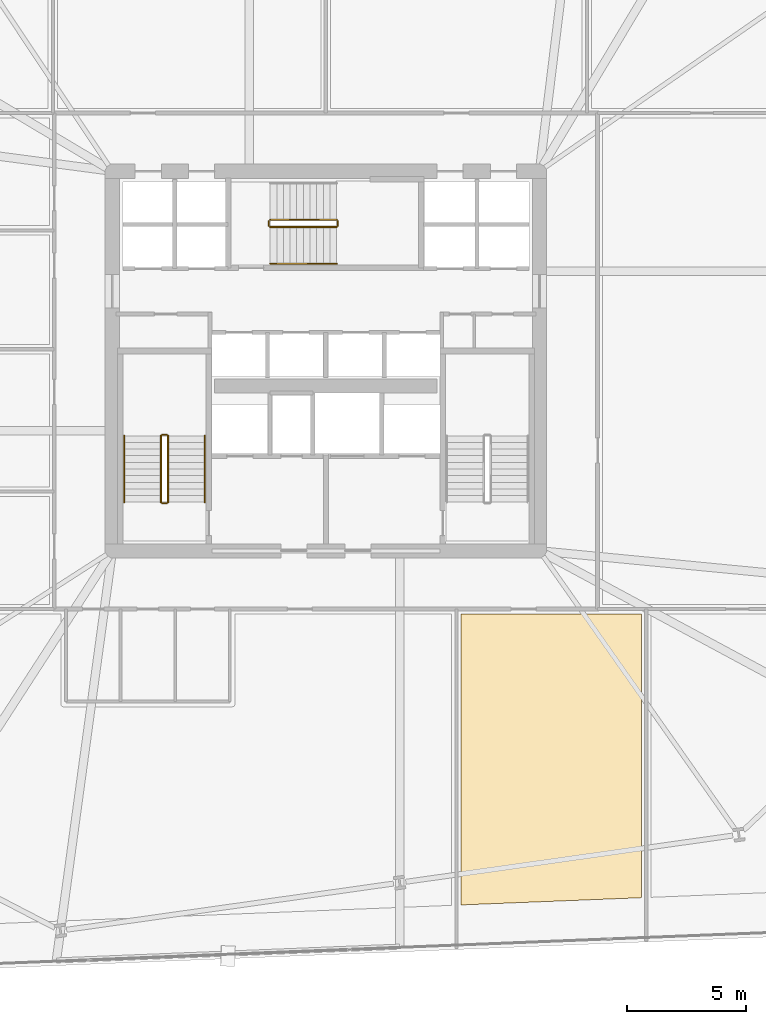
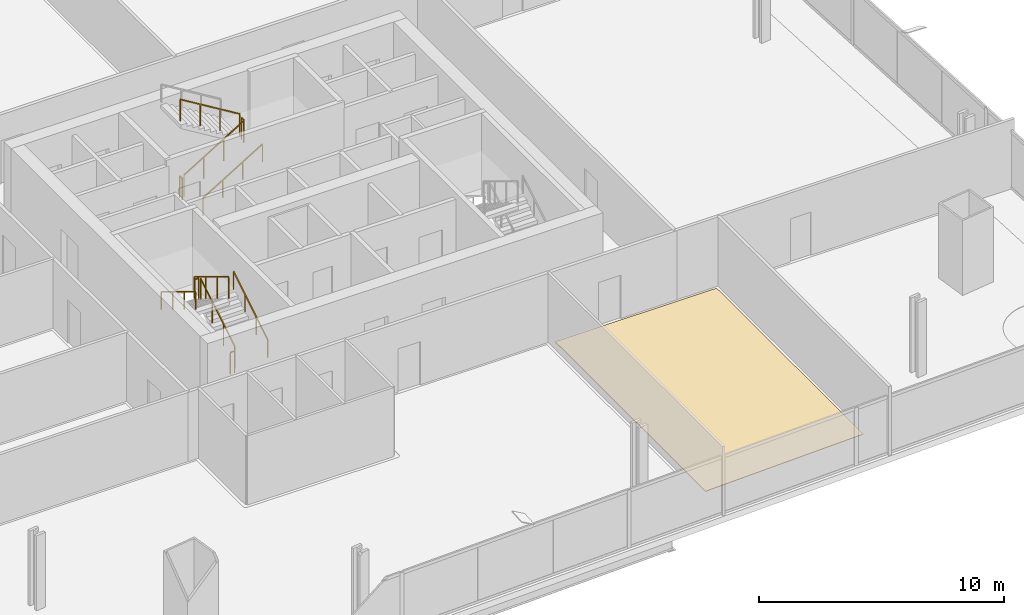
# One storey, part 30 of 32: 11 railings, 1 covering.
"""IFC4 building model written with IfcOpenShell, lengths in metres."""

from ifc_helpers import new_model, si_unit, direction, frame, origin, origin_2d, place, context, subcontext, project, spatial, polyline, rectangle, outline, extrude, material, layer, layer_set, type_object, element, save


model = new_model("IFC4")

# Units and contexts
model_context = context("Model", 3, precision=1e-05, world=origin(), true_north=direction((0.0, 1.0)))
body_context = subcontext(model_context, "Body", "Model", "MODEL_VIEW")
ifc_project = project(units=[si_unit("LENGTHUNIT", "METRE"), si_unit("AREAUNIT", "SQUARE_METRE"), si_unit("VOLUMEUNIT", "CUBIC_METRE"), si_unit("PLANEANGLEUNIT", "RADIAN"), si_unit("MASSUNIT", "GRAM", prefix="KILO")], contexts=[model_context])

# Site, building, storey
site_placement = place(None, origin())
site = spatial("IfcSite", under=ifc_project, at=site_placement, CompositionType="ELEMENT")
building_placement = place(site_placement, origin())
building = spatial("IfcBuilding", under=site, at=building_placement, Name="Haldenkirk Collegiate Tower", CompositionType="ELEMENT")
storey_placement = place(building_placement, frame((0.0, 0.0, 36.449951171875)))
storey = spatial("IfcBuildingStorey", under=building, at=storey_placement, Name="L07", CompositionType="ELEMENT", Elevation=36.449951171875)

# Covering
ifc_material_1 = material(Name="Polished collegiate terrazzo", Category="concrete")
ifc_layer = layer(ifc_material_1, 0.02490234375)
ifc_layer_set = layer_set([ifc_layer], Name="Polished collegiate terrazzo")
covering_type = type_object("IfcCoveringType", Name="COV-FLOOR-TERRAZZO", PredefinedType="FLOORING", material=ifc_layer_set)
covering_placement = place(storey_placement, origin())
element("IfcCovering", 1, at=covering_placement, inside=storey, type_object=covering_type, Name="L07 academic room finish 02", PredefinedType="FLOORING", context=body_context, shape_type="SweptSolid", body=[
    extrude(outline(polyline([(41.699951171875, 3.080078125), (41.699951171875, 15.35009765625), (49.300048828125, 15.35009765625), (49.300048828125, 3.385498046875), (41.699951171875, 3.080078125)])), origin(), (0.0, 0.0, 1.0), 0.025146484375),
])

# Railings
ifc_material_2 = material(Name="Painted architectural tubular steel", Category="steel")
railing_type_1 = type_object("IfcRailingType", Name="RLG-STAIR-GUARD-1100", PredefinedType="BALUSTRADE", material=ifc_material_2)
railing_1_placement = place(storey_placement, frame((29.35009765625, 20.050048828125, 0.17041015625)))
element("IfcRailing", 2, at=railing_1_placement, inside=storey, type_object=railing_type_1, Name="L07 ST-1 stair guard 1", PredefinedType="BALUSTRADE", context=body_context, shape_type="SweptSolid", body=[
    extrude(rectangle(XDim=0.048095703125, YDim=0.048095703125, at=origin_2d()), frame((0.0, 0.0, 1.076171875), z_axis=(0.0, 0.854169791009, 0.51999420009), x_axis=(-1.0, 0.0, 0.0)), (0.0, 0.0, 1.0), 3.278076171875),
    extrude(rectangle(XDim=0.0419921875, YDim=0.0419921875, at=origin_2d()), origin(), (0.0, 0.0, 1.0), 1.052001953125),
    extrude(rectangle(XDim=0.0419921875, YDim=0.0419921875, at=origin_2d()), frame((0.0, 0.933349609375, 0.568115234375)), (0.0, 0.0, 1.0), 1.052001953125),
    extrude(rectangle(XDim=0.0419921875, YDim=0.0419921875, at=origin_2d()), frame((0.0, 1.86669921875, 1.136474609375)), (0.0, 0.0, 1.0), 1.052001953125),
    extrude(rectangle(XDim=0.0419921875, YDim=0.0419921875, at=origin_2d()), frame((0.0, 2.800048828125, 1.70458984375)), (0.0, 0.0, 1.0), 1.052001953125),
])
railing_2_placement = place(storey_placement, frame((29.300048828125, 22.89990234375, 1.875)))
element("IfcRailing", 3, at=railing_2_placement, inside=storey, type_object=railing_type_1, Name="L07 ST-1 stair guard 2", PredefinedType="BALUSTRADE", context=body_context, shape_type="SweptSolid", body=[
    extrude(rectangle(XDim=0.048095703125, YDim=0.048095703125, at=origin_2d()), frame((0.0, 0.0, 1.076171875), z_axis=(-1.0, 0.0, 0.0), x_axis=(0.0, -1.0, 0.0)), (0.0, 0.0, 1.0), 0.199951171875),
    extrude(rectangle(XDim=0.0419921875, YDim=0.0419921875, at=origin_2d()), origin(), (0.0, 0.0, 1.0), 1.052001953125),
    extrude(rectangle(XDim=0.0419921875, YDim=0.0419921875, at=origin_2d()), frame((-0.199951171875, 0.0, 0.0)), (0.0, 0.0, 1.0), 1.052001953125),
])
railing_3_placement = place(storey_placement, frame((29.050048828125, 22.85009765625, 2.04541015625)))
element("IfcRailing", 4, at=railing_3_placement, inside=storey, type_object=railing_type_1, Name="L07 ST-1 stair guard 3", PredefinedType="BALUSTRADE", context=body_context, shape_type="SweptSolid", body=[
    extrude(rectangle(XDim=0.048095703125, YDim=0.048095703125, at=origin_2d()), frame((0.0, 0.0, 1.076171875), z_axis=(0.0, -0.854169791009, 0.51999420009), x_axis=(1.0, 0.0, 0.0)), (0.0, 0.0, 1.0), 3.278076171875),
    extrude(rectangle(XDim=0.0419921875, YDim=0.0419921875, at=origin_2d()), origin(), (0.0, 0.0, 1.0), 1.052001953125),
    extrude(rectangle(XDim=0.0419921875, YDim=0.0419921875, at=origin_2d()), frame((0.0, -0.933349609375, 0.568115234375)), (0.0, 0.0, 1.0), 1.052001953125),
    extrude(rectangle(XDim=0.0419921875, YDim=0.0419921875, at=origin_2d()), frame((0.0, -1.86669921875, 1.136474609375)), (0.0, 0.0, 1.0), 1.052001953125),
    extrude(rectangle(XDim=0.0419921875, YDim=0.0419921875, at=origin_2d()), frame((0.0, -2.800048828125, 1.70458984375)), (0.0, 0.0, 1.0), 1.052001953125),
])
railing_4_placement = place(storey_placement, frame((29.300048828125, 20.0, 0.0)))
element("IfcRailing", 5, at=railing_4_placement, inside=storey, type_object=railing_type_1, Name="L07 ST-1 stair guard 4", PredefinedType="BALUSTRADE", context=body_context, shape_type="SweptSolid", body=[
    extrude(rectangle(XDim=0.048095703125, YDim=0.048095703125, at=origin_2d()), frame((0.0, 0.0, 1.076171875), z_axis=(-1.0, 0.0, 0.0), x_axis=(0.0, -1.0, 0.0)), (0.0, 0.0, 1.0), 0.199951171875),
    extrude(rectangle(XDim=0.0419921875, YDim=0.0419921875, at=origin_2d()), origin(), (0.0, 0.0, 1.0), 1.052001953125),
    extrude(rectangle(XDim=0.0419921875, YDim=0.0419921875, at=origin_2d()), frame((-0.199951171875, 0.0, 0.0)), (0.0, 0.0, 1.0), 1.052001953125),
])
railing_5_placement = place(storey_placement, frame((33.64990234375, 31.64990234375, 0.17041015625)))
element("IfcRailing", 6, at=railing_5_placement, inside=storey, type_object=railing_type_1, Name="L07 ST-3 stair guard 1", PredefinedType="BALUSTRADE", context=body_context, shape_type="SweptSolid", body=[
    extrude(rectangle(XDim=0.048095703125, YDim=0.048095703125, at=origin_2d()), frame((0.0, 0.0, 1.076171875), z_axis=(0.854169791009, 0.0, 0.51999420009), x_axis=(0.0, 1.0, 0.0)), (0.0, 0.0, 1.0), 3.278076171875),
    extrude(rectangle(XDim=0.0419921875, YDim=0.0419921875, at=origin_2d()), origin(), (0.0, 0.0, 1.0), 1.052001953125),
    extrude(rectangle(XDim=0.0419921875, YDim=0.0419921875, at=origin_2d()), frame((0.933349609375, 0.0, 0.568115234375)), (0.0, 0.0, 1.0), 1.052001953125),
    extrude(rectangle(XDim=0.0419921875, YDim=0.0419921875, at=origin_2d()), frame((1.86669921875, 0.0, 1.136474609375)), (0.0, 0.0, 1.0), 1.052001953125),
    extrude(rectangle(XDim=0.0419921875, YDim=0.0419921875, at=origin_2d()), frame((2.800048828125, 0.0, 1.70458984375)), (0.0, 0.0, 1.0), 1.052001953125),
])
railing_6_placement = place(storey_placement, frame((36.5, 31.699951171875, 1.875)))
element("IfcRailing", 7, at=railing_6_placement, inside=storey, type_object=railing_type_1, Name="L07 ST-3 stair guard 2", PredefinedType="BALUSTRADE", context=body_context, shape_type="SweptSolid", body=[
    extrude(rectangle(XDim=0.048095703125, YDim=0.048095703125, at=origin_2d()), frame((0.0, 0.0, 1.076171875), z_axis=(0.0, 1.0, 0.0), x_axis=(-1.0, 0.0, 0.0)), (0.0, 0.0, 1.0), 0.199951171875),
    extrude(rectangle(XDim=0.0419921875, YDim=0.0419921875, at=origin_2d()), origin(), (0.0, 0.0, 1.0), 1.052001953125),
    extrude(rectangle(XDim=0.0419921875, YDim=0.0419921875, at=origin_2d()), frame((0.0, 0.199951171875, 0.0)), (0.0, 0.0, 1.0), 1.052001953125),
])
railing_7_placement = place(storey_placement, frame((36.449951171875, 31.949951171875, 2.04541015625)))
element("IfcRailing", 8, at=railing_7_placement, inside=storey, type_object=railing_type_1, Name="L07 ST-3 stair guard 3", PredefinedType="BALUSTRADE", context=body_context, shape_type="SweptSolid", body=[
    extrude(rectangle(XDim=0.048095703125, YDim=0.048095703125, at=origin_2d()), frame((0.0, 0.0, 1.076171875), z_axis=(-0.854169791009, 0.0, 0.51999420009), x_axis=(0.0, -1.0, 0.0)), (0.0, 0.0, 1.0), 3.278076171875),
    extrude(rectangle(XDim=0.0419921875, YDim=0.0419921875, at=origin_2d()), origin(), (0.0, 0.0, 1.0), 1.052001953125),
    extrude(rectangle(XDim=0.0419921875, YDim=0.0419921875, at=origin_2d()), frame((-0.933349609375, 0.0, 0.568115234375)), (0.0, 0.0, 1.0), 1.052001953125),
    extrude(rectangle(XDim=0.0419921875, YDim=0.0419921875, at=origin_2d()), frame((-1.86669921875, 0.0, 1.136474609375)), (0.0, 0.0, 1.0), 1.052001953125),
    extrude(rectangle(XDim=0.0419921875, YDim=0.0419921875, at=origin_2d()), frame((-2.800048828125, 0.0, 1.70458984375)), (0.0, 0.0, 1.0), 1.052001953125),
])
railing_8_placement = place(storey_placement, frame((33.60009765625, 31.699951171875, 0.0)))
element("IfcRailing", 9, at=railing_8_placement, inside=storey, type_object=railing_type_1, Name="L07 ST-3 stair guard 4", PredefinedType="BALUSTRADE", context=body_context, shape_type="SweptSolid", body=[
    extrude(rectangle(XDim=0.048095703125, YDim=0.048095703125, at=origin_2d()), frame((0.0, 0.0, 1.076171875), z_axis=(0.0, 1.0, 0.0), x_axis=(-1.0, 0.0, 0.0)), (0.0, 0.0, 1.0), 0.199951171875),
    extrude(rectangle(XDim=0.0419921875, YDim=0.0419921875, at=origin_2d()), origin(), (0.0, 0.0, 1.0), 1.052001953125),
    extrude(rectangle(XDim=0.0419921875, YDim=0.0419921875, at=origin_2d()), frame((0.0, 0.199951171875, 0.0)), (0.0, 0.0, 1.0), 1.052001953125),
])
railing_type_2 = type_object("IfcRailingType", Name="RLG-STAIR-HANDRAIL-900", PredefinedType="HANDRAIL", material=ifc_material_2)
railing_9_placement = place(storey_placement, frame((30.89990234375, 20.050048828125, 0.17041015625)))
element("IfcRailing", 10, at=railing_9_placement, inside=storey, type_object=railing_type_2, Name="L07 ST-1 stair handrail 1", PredefinedType="HANDRAIL", context=body_context, shape_type="SweptSolid", body=[
    extrude(rectangle(XDim=0.048095703125, YDim=0.048095703125, at=origin_2d()), frame((0.0, 0.0, 0.8759765625), z_axis=(0.0, 0.854169791009, 0.51999420009), x_axis=(-1.0, 0.0, 0.0)), (0.0, 0.0, 1.0), 3.278076171875),
    extrude(rectangle(XDim=0.0419921875, YDim=0.0419921875, at=origin_2d()), origin(), (0.0, 0.0, 1.0), 0.851806640625),
    extrude(rectangle(XDim=0.0419921875, YDim=0.0419921875, at=origin_2d()), frame((0.0, 0.933349609375, 0.568115234375)), (0.0, 0.0, 1.0), 0.851806640625),
    extrude(rectangle(XDim=0.0419921875, YDim=0.0419921875, at=origin_2d()), frame((0.0, 1.86669921875, 1.136474609375)), (0.0, 0.0, 1.0), 0.851806640625),
    extrude(rectangle(XDim=0.0419921875, YDim=0.0419921875, at=origin_2d()), frame((0.0, 2.800048828125, 1.70458984375)), (0.0, 0.0, 1.0), 0.851806640625),
])
railing_10_placement = place(storey_placement, frame((27.5, 22.85009765625, 2.04541015625)))
element("IfcRailing", 11, at=railing_10_placement, inside=storey, type_object=railing_type_2, Name="L07 ST-1 stair handrail 2", PredefinedType="HANDRAIL", context=body_context, shape_type="SweptSolid", body=[
    extrude(rectangle(XDim=0.048095703125, YDim=0.048095703125, at=origin_2d()), frame((0.0, 0.0, 0.8759765625), z_axis=(0.0, -0.854169791009, 0.51999420009), x_axis=(1.0, 0.0, 0.0)), (0.0, 0.0, 1.0), 3.278076171875),
    extrude(rectangle(XDim=0.0419921875, YDim=0.0419921875, at=origin_2d()), origin(), (0.0, 0.0, 1.0), 0.851806640625),
    extrude(rectangle(XDim=0.0419921875, YDim=0.0419921875, at=origin_2d()), frame((0.0, -0.933349609375, 0.568115234375)), (0.0, 0.0, 1.0), 0.851806640625),
    extrude(rectangle(XDim=0.0419921875, YDim=0.0419921875, at=origin_2d()), frame((0.0, -1.86669921875, 1.136474609375)), (0.0, 0.0, 1.0), 0.851806640625),
    extrude(rectangle(XDim=0.0419921875, YDim=0.0419921875, at=origin_2d()), frame((0.0, -2.800048828125, 1.70458984375)), (0.0, 0.0, 1.0), 0.851806640625),
])
railing_11_placement = place(storey_placement, frame((33.64990234375, 30.10009765625, 0.17041015625)))
element("IfcRailing", 12, at=railing_11_placement, inside=storey, type_object=railing_type_2, Name="L07 ST-3 stair handrail 1", PredefinedType="HANDRAIL", context=body_context, shape_type="SweptSolid", body=[
    extrude(rectangle(XDim=0.048095703125, YDim=0.048095703125, at=origin_2d()), frame((0.0, 0.0, 0.8759765625), z_axis=(0.854169791009, 0.0, 0.51999420009), x_axis=(0.0, 1.0, 0.0)), (0.0, 0.0, 1.0), 3.278076171875),
    extrude(rectangle(XDim=0.0419921875, YDim=0.0419921875, at=origin_2d()), origin(), (0.0, 0.0, 1.0), 0.851806640625),
    extrude(rectangle(XDim=0.0419921875, YDim=0.0419921875, at=origin_2d()), frame((0.933349609375, 0.0, 0.568115234375)), (0.0, 0.0, 1.0), 0.851806640625),
    extrude(rectangle(XDim=0.0419921875, YDim=0.0419921875, at=origin_2d()), frame((1.86669921875, 0.0, 1.136474609375)), (0.0, 0.0, 1.0), 0.851806640625),
    extrude(rectangle(XDim=0.0419921875, YDim=0.0419921875, at=origin_2d()), frame((2.800048828125, 0.0, 1.70458984375)), (0.0, 0.0, 1.0), 0.851806640625),
])

save(model, "model.ifc")
